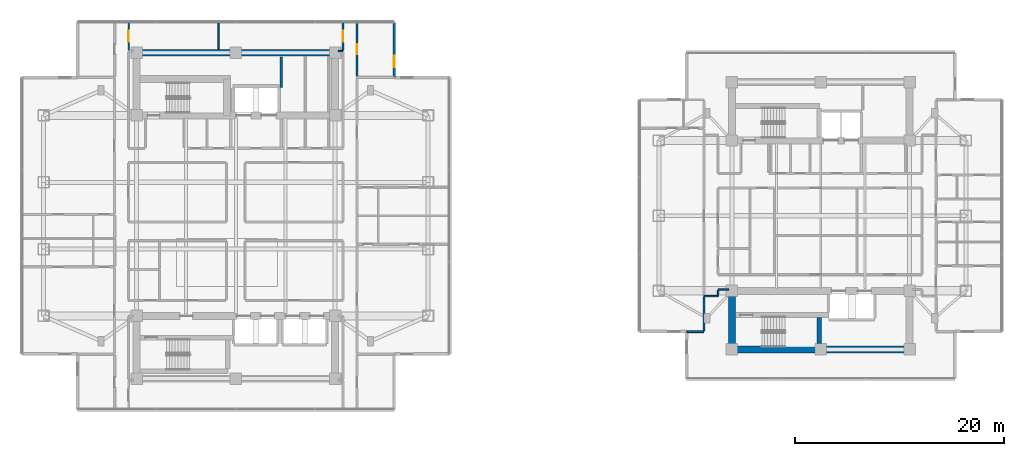
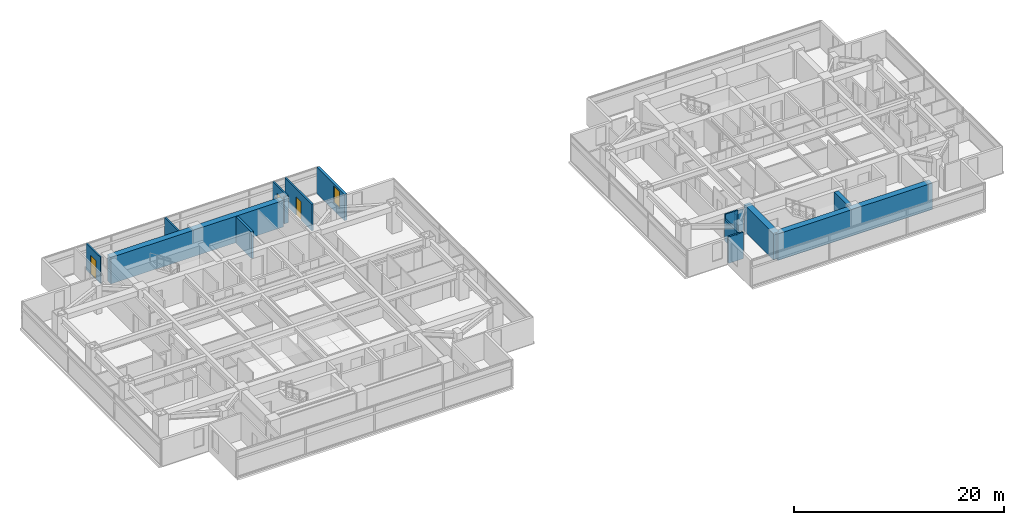
# One storey, part 17 of 27: 16 walls, 3 doors, 1 window, 4 openings.
"""IFC4 building model written with IfcOpenShell, lengths in metres."""

from ifc_helpers import new_model, si_unit, direction, frame, frame_2d, origin, place, context, subcontext, project, spatial, rectangle, extrude, material, layer, layer_set, type_object, element, fill, save


model = new_model("IFC4")

# Units and contexts
model_context = context("Model", 3, precision=1e-05, world=origin(), true_north=direction((0.0, 1.0)))
body_context = subcontext(model_context, "Body", "Model", "MODEL_VIEW")
ifc_project = project(units=[si_unit("LENGTHUNIT", "METRE"), si_unit("AREAUNIT", "SQUARE_METRE"), si_unit("VOLUMEUNIT", "CUBIC_METRE"), si_unit("PLANEANGLEUNIT", "RADIAN"), si_unit("MASSUNIT", "GRAM", prefix="KILO")], contexts=[model_context])

# Site, building, storey
site_placement = place(None, origin())
site = spatial("IfcSite", under=ifc_project, at=site_placement, CompositionType="ELEMENT")
building_placement = place(site_placement, origin())
building = spatial("IfcBuilding", under=site, at=building_placement, Name="Mirazonda Arch Towers", CompositionType="ELEMENT")
storey_placement = place(building_placement, frame((0.0, 0.0, 124.699951171875)))
storey = spatial("IfcBuildingStorey", under=building, at=storey_placement, Name="L35", CompositionType="ELEMENT", Elevation=124.699951171875)

# Walls
ifc_material_1 = material(Name="Concrete C50/60", Category="concrete")
ifc_layer_1 = layer(ifc_material_1, 0.449951171875, Name="WALL-CORE-450")
ifc_layer_set_1 = layer_set([ifc_layer_1], Name="Concrete C50/60")
wall_type_1 = type_object("IfcWallType", Name="WALL-CORE-450", PredefinedType="SHEAR", material=ifc_layer_set_1)
wall_1_placement = place(storey_placement, frame((76.360107421875, 15.764892578125, 0.0), z_axis=(0.0, 0.0, 1.0), x_axis=(0.0, 1.0, 0.0)))
element("IfcWall", 1, at=wall_1_placement, inside=storey, type_object=wall_type_1, Name="L35 Stair Core Shear Wall 131", PredefinedType="SHEAR", context=body_context, shape_type="SweptSolid", body=[
    extrude(rectangle(XDim=2.5, YDim=0.449951171875, at=frame_2d((1.25, 0.0))), origin(), (0.0, 0.0, 1.0), 3.080078125),
])
ifc_material_2 = material(Name="Concrete C60/75", Category="concrete")
ifc_layer_2 = layer(ifc_material_2, 0.64990234375, Name="WALL-CORE-650")
ifc_layer_set_2 = layer_set([ifc_layer_2], Name="Concrete C60/75")
wall_type_2 = type_object("IfcWallType", Name="WALL-CORE-650", PredefinedType="SHEAR", material=ifc_layer_set_2)
wall_2_placement = place(storey_placement, frame((11.0, 43.60009765625, 0.0), z_axis=(0.0, 0.0, 1.0), x_axis=(1.0, 0.0, 0.0)))
element("IfcWall", 2, at=wall_2_placement, inside=storey, type_object=wall_type_2, Name="L35 T1N-N Core Shear Wall", PredefinedType="SHEAR", context=body_context, shape_type="SweptSolid", body=[
    extrude(rectangle(XDim=19.0, YDim=0.64990234375, at=frame_2d((9.5, 0.0))), origin(), (0.0, 0.0, 1.0), 3.080078125),
])
wall_3_placement = place(storey_placement, frame((68.0, 15.199951171875, 0.0), z_axis=(0.0, 0.0, 1.0), x_axis=(1.0, 0.0, 0.0)))
element("IfcWall", 3, at=wall_3_placement, inside=storey, type_object=wall_type_2, Name="L35 T2S-S Core Shear Wall", PredefinedType="SHEAR", context=body_context, shape_type="SweptSolid", body=[
    extrude(rectangle(XDim=17.0, YDim=0.64990234375, at=frame_2d((8.5, 0.0))), origin(), (0.0, 0.0, 1.0), 3.080078125),
])
wall_4_placement = place(storey_placement, frame((68.0, 15.199951171875, 0.0), z_axis=(0.0, 0.0, 1.0), x_axis=(0.0, 1.0, 0.0)))
element("IfcWall", 4, at=wall_4_placement, inside=storey, type_object=wall_type_2, Name="L35 T2S-W Core Shear Wall", PredefinedType="SHEAR", context=body_context, shape_type="SweptSolid", body=[
    extrude(rectangle(XDim=5.60009765625, YDim=0.64990234375, at=frame_2d((2.800048828125, 0.0))), origin(), (0.0, 0.0, 1.0), 3.080078125),
])

# Wall, opening, window
ifc_material_3 = material(Name="Precast Concrete C40/50", Category="concrete")
ifc_layer_3 = layer(ifc_material_3, 0.280029296875, Name="WALL-EXT-WALL-280")
ifc_layer_set_3 = layer_set([ifc_layer_3], Name="Precast Concrete C40/50")
wall_type_3 = type_object("IfcWallType", Name="WALL-EXT-WALL-280", PredefinedType="SOLIDWALL", material=ifc_layer_set_3)
wall_5_placement = place(storey_placement, frame((35.669921875, 41.24609375, 0.0), z_axis=(0.0, 0.0, 1.0), x_axis=(0.0, 1.0, 0.0)))
wall_5 = element("IfcWall", 5, at=wall_5_placement, inside=storey, type_object=wall_type_3, Name="L35 T1 Notched NE Corner Wall WL-L35-T1-CNE", PredefinedType="SOLIDWALL", context=body_context, shape_type="SweptSolid", body=[
    extrude(rectangle(XDim=5.27001953125, YDim=0.280029296875, at=frame_2d((2.635009765625, 0.0))), origin(), (0.0, 0.0, 1.0), 3.06005859375),
])
opening_1_placement = place(wall_5_placement, frame((0.949951171875, 0.0, 0.85009765625)))
opening_1 = element("IfcOpeningElement", 6, at=opening_1_placement, cuts=wall_5, Name="Opening WN-108", PredefinedType="OPENING", context=body_context, shape_type="SweptSolid", body=[
    extrude(rectangle(XDim=1.10009765625, YDim=2.0, at=frame_2d((0.550048828125, 1.0))), frame((0.0, 0.14990234375, 0.0), z_axis=(0.0, -1.0, 0.0), x_axis=(1.0, 0.0, 0.0)), (0.0, 0.0, 1.0), 0.300048828125),
])
ifc_material_4 = material(Name="Insulated Low-E Solar Glass", Category="glass")
window_type = type_object("IfcWindowType", Name="WIN-NOTCH-1100x2000", PartitioningType="SINGLE_PANEL", PredefinedType="WINDOW", material=ifc_material_4)
window_placement = place(opening_1_placement, origin())
window = element("IfcWindow", 7, at=window_placement, inside=storey, type_object=window_type, Name="L35 Punched Facade Window WN-L35-T1-CNE", OverallHeight=2.0, OverallWidth=1.10009765625, PartitioningType="SINGLE_PANEL", PredefinedType="WINDOW", context=body_context, shape_type="SweptSolid", body=[
    extrude(rectangle(XDim=1.10009765625, YDim=2.0, at=frame_2d((0.550048828125, 1.0))), frame((0.0, 0.030029296875, 0.0), z_axis=(0.0, -1.0, 0.0), x_axis=(1.0, 0.0, 0.0)), (0.0, 0.0, 1.0), 0.06005859375),
])
fill(opening_1, window)

# Walls
ifc_material_5 = material(Name="Concrete C40/50", Category="concrete")
ifc_layer_4 = layer(ifc_material_5, 0.219970703125, Name="WALL-FFL-220")
ifc_layer_set_4 = layer_set([ifc_layer_4], Name="Concrete C40/50")
wall_type_4 = type_object("IfcWallType", Name="WALL-FFL-220", PredefinedType="SOLIDWALL", material=ifc_layer_set_4)
wall_6_placement = place(storey_placement, frame((24.85009765625, 40.260009765625, 0.0), z_axis=(0.0, 0.0, 1.0), x_axis=(0.0, 1.0, 0.0)))
element("IfcWall", 8, at=wall_6_placement, inside=storey, type_object=wall_type_4, Name="L35 Interior Partition 093", PredefinedType="SOLIDWALL", context=body_context, shape_type="SweptSolid", body=[
    extrude(rectangle(XDim=2.93994140625, YDim=0.219970703125, at=frame_2d((1.469970703125, 0.0))), origin(), (0.0, 0.0, 1.0), 3.080078125),
])
ifc_material_6 = material(Name="Fire-Rated Gypsum Stud Partition")
ifc_layer_5 = layer(ifc_material_6, 0.14990234375, Name="WALL-PART-CORR-150")
ifc_layer_set_5 = layer_set([ifc_layer_5], Name="Fire-Rated Gypsum Stud Partition")
wall_type_5 = type_object("IfcWallType", Name="WALL-PART-CORR-150", PredefinedType="PARTITIONING", material=ifc_layer_set_5)
wall_7_placement = place(storey_placement, frame((65.320068359375, 20.300048828125, 0.0), z_axis=(0.0, 0.0, 1.0), x_axis=(1.0, 0.0, 0.0)))
element("IfcWall", 9, at=wall_7_placement, inside=storey, type_object=wall_type_5, Name="L35 Interior Partition 017", PredefinedType="PARTITIONING", context=body_context, shape_type="SweptSolid", body=[
    extrude(rectangle(XDim=1.35986328125, YDim=0.14990234375, at=frame_2d((0.679931640625, 0.0))), origin(), (0.0, 0.0, 1.0), 3.080078125),
])
wall_8_placement = place(storey_placement, frame((66.679931640625, 20.949951171875, 0.0), z_axis=(0.0, 0.0, 1.0), x_axis=(1.0, 0.0, 0.0)))
element("IfcWall", 10, at=wall_8_placement, inside=storey, type_object=wall_type_5, Name="L35 Interior Partition 019", PredefinedType="PARTITIONING", context=body_context, shape_type="SweptSolid", body=[
    extrude(rectangle(XDim=1.0, YDim=0.14990234375, at=frame_2d((0.5, 0.0))), origin(), (0.0, 0.0, 1.0), 2.47216796875),
])
wall_9_placement = place(storey_placement, frame((30.320068359375, 43.75, 0.0), z_axis=(0.0, 0.0, 1.0), x_axis=(1.0, 0.0, 0.0)))
element("IfcWall", 11, at=wall_9_placement, inside=storey, type_object=wall_type_5, Name="L35 Interior Partition 058", PredefinedType="PARTITIONING", context=body_context, shape_type="SweptSolid", body=[
    extrude(rectangle(XDim=0.43994140625, YDim=0.14990234375, at=frame_2d((0.219970703125, 0.0))), origin(), (0.0, 0.0, 1.0), 3.080078125),
])

# Wall, opening, door
wall_10_placement = place(storey_placement, frame((10.239990234375, 43.8349609375, 0.0), z_axis=(0.0, 0.0, 1.0), x_axis=(0.0, 1.0, 0.0)))
wall_10 = element("IfcWall", 12, at=wall_10_placement, inside=storey, type_object=wall_type_5, Name="L35 Interior Partition 073", PredefinedType="PARTITIONING", context=body_context, shape_type="SweptSolid", body=[
    extrude(rectangle(XDim=2.68115234375, YDim=0.14990234375, at=frame_2d((1.340576171875, 0.0))), origin(), (0.0, 0.0, 1.0), 3.080078125),
])
opening_2_placement = place(wall_10_placement, frame((0.8154296875, 0.0, 0.0)))
opening_2 = element("IfcOpeningElement", 13, at=opening_2_placement, cuts=wall_10, Name="Opening DR-121", PredefinedType="OPENING", context=body_context, shape_type="SweptSolid", body=[
    extrude(rectangle(XDim=1.050048828125, YDim=2.199951171875, at=frame_2d((0.52490234375, 1.10009765625))), frame((0.0, 0.0849609375, 0.0), z_axis=(0.0, -1.0, 0.0), x_axis=(1.0, 0.0, 0.0)), (0.0, 0.0, 1.0), 0.169921875),
])
ifc_material_7 = material(Name="Architectural Brushed Steel S355", Category="steel")
door_type_1 = type_object("IfcDoorType", Name="DOOR-SUITE-FD60-1050", OperationType="NOTDEFINED", PredefinedType="DOOR", material=ifc_material_7)
door_1_placement = place(opening_2_placement, origin())
door_1 = element("IfcDoor", 14, at=door_1_placement, inside=storey, type_object=door_type_1, Name="L35 North Reading Salon West Door", OperationType="SINGLE_SWING_RIGHT", OverallHeight=2.199951171875, OverallWidth=1.050048828125, PredefinedType="DOOR", context=body_context, shape_type="SweptSolid", body=[
    extrude(rectangle(XDim=1.050048828125, YDim=2.199951171875, at=frame_2d((0.52490234375, 1.10009765625))), frame((0.0, 0.02490234375, 0.0), z_axis=(0.0, -1.0, 0.0), x_axis=(1.0, 0.0, 0.0)), (0.0, 0.0, 1.0), 0.050048828125),
])
fill(opening_2, door_1)

# Wall
wall_11_placement = place(storey_placement, frame((18.85791015625, 43.919921875, 0.0), z_axis=(0.0, 0.0, 1.0), x_axis=(0.0, 1.0, 0.0)))
element("IfcWall", 15, at=wall_11_placement, inside=storey, type_object=wall_type_5, Name="L35 Interior Partition 079", PredefinedType="PARTITIONING", context=body_context, shape_type="SweptSolid", body=[
    extrude(rectangle(XDim=2.59619140625, YDim=0.14990234375, at=frame_2d((1.298095703125, 0.0))), origin(), (0.0, 0.0, 1.0), 3.080078125),
])

# Wall, opening, door
wall_12_placement = place(storey_placement, frame((30.760009765625, 43.8349609375, 0.0), z_axis=(0.0, 0.0, 1.0), x_axis=(0.0, 1.0, 0.0)))
wall_12 = element("IfcWall", 16, at=wall_12_placement, inside=storey, type_object=wall_type_5, Name="L35 Interior Partition 104", PredefinedType="PARTITIONING", context=body_context, shape_type="SweptSolid", body=[
    extrude(rectangle(XDim=2.68115234375, YDim=0.14990234375, at=frame_2d((1.340576171875, 0.0))), origin(), (0.0, 0.0, 1.0), 3.080078125),
])
opening_3_placement = place(wall_12_placement, frame((0.8154296875, 0.0, 0.0)))
opening_3 = element("IfcOpeningElement", 17, at=opening_3_placement, cuts=wall_12, Name="Opening DR-121", PredefinedType="OPENING", context=body_context, shape_type="SweptSolid", body=[
    extrude(rectangle(XDim=1.050048828125, YDim=2.199951171875, at=frame_2d((0.52490234375, 1.10009765625))), frame((0.0, 0.0849609375, 0.0), z_axis=(0.0, -1.0, 0.0), x_axis=(1.0, 0.0, 0.0)), (0.0, 0.0, 1.0), 0.169921875),
])
door_2_placement = place(opening_3_placement, origin())
door_2 = element("IfcDoor", 18, at=door_2_placement, inside=storey, type_object=door_type_1, Name="L35 North Reading Salon East Door", OperationType="SINGLE_SWING_LEFT", OverallHeight=2.199951171875, OverallWidth=1.050048828125, PredefinedType="DOOR", context=body_context, shape_type="SweptSolid", body=[
    extrude(rectangle(XDim=1.050048828125, YDim=2.199951171875, at=frame_2d((0.52490234375, 1.10009765625))), frame((0.0, 0.02490234375, 0.0), z_axis=(0.0, -1.0, 0.0), x_axis=(1.0, 0.0, 0.0)), (0.0, 0.0, 1.0), 0.050048828125),
])
fill(opening_3, door_2)

# Walls
wall_13_placement = place(storey_placement, frame((66.679931640625, 20.385009765625, 0.0), z_axis=(0.0, 0.0, 1.0), x_axis=(0.0, 1.0, 0.0)))
element("IfcWall", 19, at=wall_13_placement, inside=storey, type_object=wall_type_5, Name="L35 Interior Partition 118", PredefinedType="PARTITIONING", context=body_context, shape_type="SweptSolid", body=[
    extrude(rectangle(XDim=0.47998046875, YDim=0.14990234375, at=frame_2d((0.239990234375, 0.0))), origin(), (0.0, 0.0, 1.0), 2.47216796875),
])
ifc_material_8 = material(Name="Fire-Rated Gypsum Twin-Stud Assembly")
ifc_layer_6 = layer(ifc_material_8, 0.179931640625, Name="WALL-PART-DEMISE-180")
ifc_layer_set_6 = layer_set([ifc_layer_6], Name="Fire-Rated Gypsum Twin-Stud Assembly")
wall_type_6 = type_object("IfcWallType", Name="WALL-PART-DEMISE-180", PredefinedType="PARTITIONING", material=ifc_layer_set_6)
wall_14_placement = place(storey_placement, frame((63.685546875, 16.90087890625, 0.0), z_axis=(0.0, 0.0, 1.0), x_axis=(1.0, 0.0, 0.0)))
element("IfcWall", 20, at=wall_14_placement, inside=storey, type_object=wall_type_6, Name="L35 Interior Partition 009", PredefinedType="PARTITIONING", context=body_context, shape_type="SweptSolid", body=[
    extrude(rectangle(XDim=1.634521484375, YDim=0.179931640625, at=frame_2d((0.8173828125, 0.0))), origin(), (0.0, 0.0, 1.0), 3.080078125),
])

# Wall, opening, door
wall_15_placement = place(storey_placement, frame((32.10009765625, 41.345947265625, 0.0), z_axis=(0.0, 0.0, 1.0), x_axis=(0.0, 1.0, 0.0)))
wall_15 = element("IfcWall", 21, at=wall_15_placement, inside=storey, type_object=wall_type_6, Name="L35 Interior Partition 110", PredefinedType="PARTITIONING", context=body_context, shape_type="SweptSolid", body=[
    extrude(rectangle(XDim=5.170166015625, YDim=0.179931640625, at=frame_2d((2.5849609375, 0.0))), origin(), (0.0, 0.0, 1.0), 3.080078125),
])
opening_4_placement = place(wall_15_placement, frame((2.110107421875, 0.0, 0.0)))
opening_4 = element("IfcOpeningElement", 22, at=opening_4_placement, cuts=wall_15, Name="Opening DR-104", PredefinedType="OPENING", context=body_context, shape_type="SweptSolid", body=[
    extrude(rectangle(XDim=0.949951171875, YDim=2.14990234375, at=frame_2d((0.47509765625, 1.074951171875))), frame((0.0, 0.099853515625, 0.0), z_axis=(0.0, -1.0, 0.0), x_axis=(1.0, 0.0, 0.0)), (0.0, 0.0, 1.0), 0.199951171875),
])
door_type_2 = type_object("IfcDoorType", Name="DOOR-ROOM-950", OperationType="NOTDEFINED", PredefinedType="DOOR", material=ifc_material_7)
door_3_placement = place(opening_4_placement, origin())
door_3 = element("IfcDoor", 23, at=door_3_placement, inside=storey, type_object=door_type_2, Name="L35 North Reading Salon Alcove East Door", OperationType="SINGLE_SWING_LEFT", OverallHeight=2.14990234375, OverallWidth=0.949951171875, PredefinedType="DOOR", context=body_context, shape_type="SweptSolid", body=[
    extrude(rectangle(XDim=0.949951171875, YDim=2.14990234375, at=frame_2d((0.47509765625, 1.074951171875))), frame((0.0, 0.02490234375, 0.0), z_axis=(0.0, -1.0, 0.0), x_axis=(1.0, 0.0, 0.0)), (0.0, 0.0, 1.0), 0.050048828125),
])
fill(opening_4, door_3)

# Wall
wall_16_placement = place(storey_placement, frame((65.320068359375, 17.0009765625, 0.0), z_axis=(0.0, 0.0, 1.0), x_axis=(0.0, 1.0, 0.0)))
element("IfcWall", 24, at=wall_16_placement, inside=storey, type_object=wall_type_6, Name="L35 Interior Partition 114", PredefinedType="PARTITIONING", context=body_context, shape_type="SweptSolid", body=[
    extrude(rectangle(XDim=3.214111328125, YDim=0.179931640625, at=frame_2d((1.60693359375, 0.0))), origin(), (0.0, 0.0, 1.0), 2.52294921875),
])

save(model, "model.ifc")
